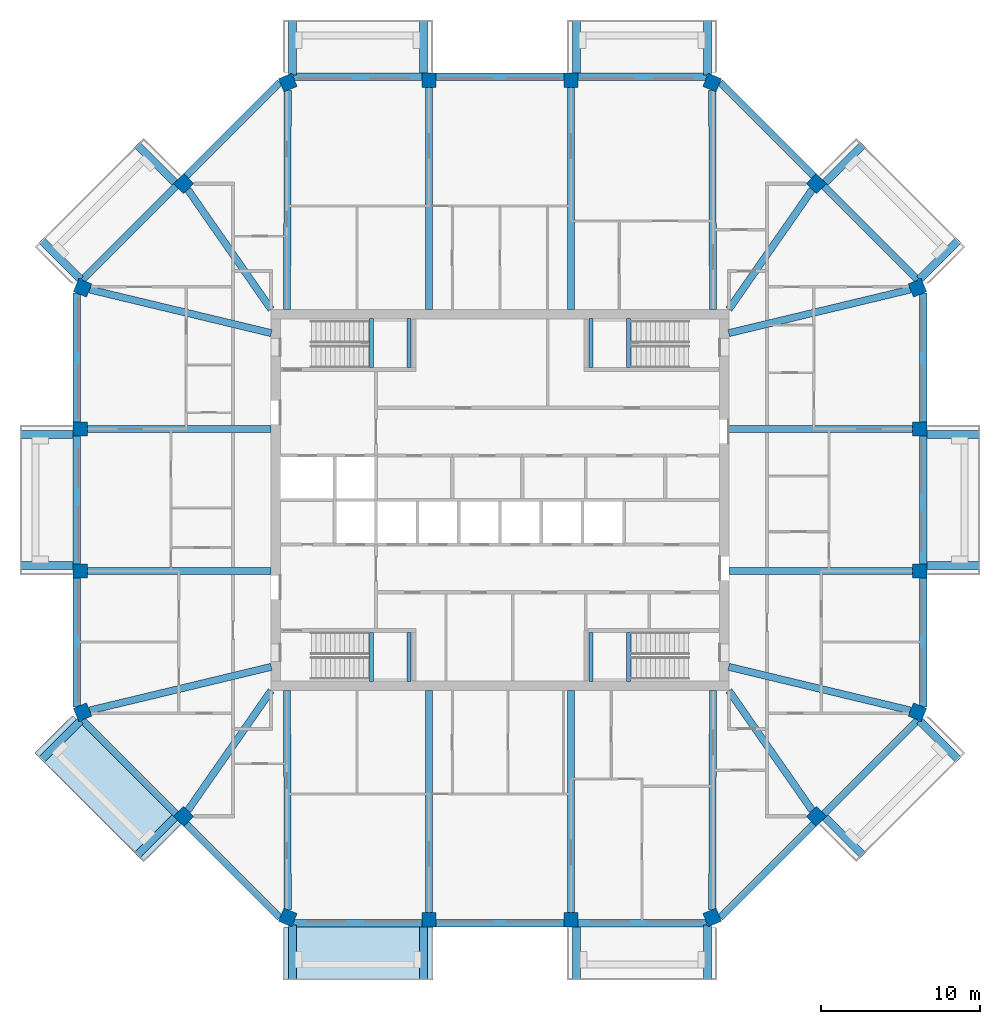
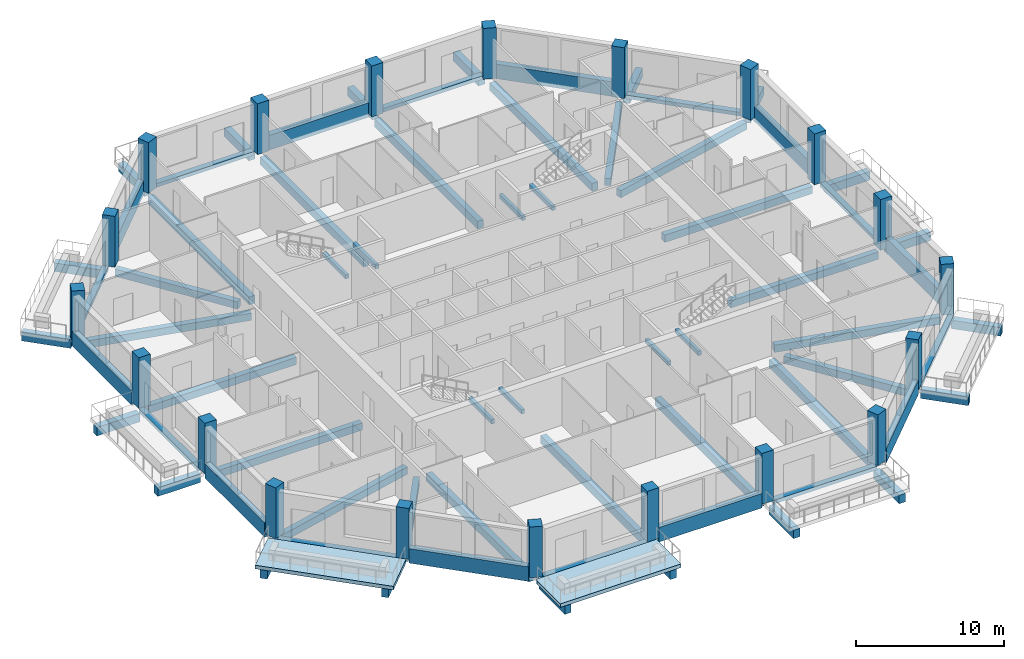
# One storey, part 1 of 12: 68 beams, 20 columns, 2 slabs.
"""IFC4 building model written with IfcOpenShell, lengths in metres."""

from ifc_helpers import new_model, si_unit, direction, frame, origin, origin_2d, place, context, subcontext, project, spatial, polyline, rectangle, outline, extrude, material, layer, layer_set, material_profile, profile_set, type_object, element, save


model = new_model("IFC4")

# Units and contexts
model_context = context("Model", 3, precision=1e-05, world=origin(), true_north=direction((0.0, 1.0)))
body_context = subcontext(model_context, "Body", "Model", "MODEL_VIEW")
ifc_project = project(units=[si_unit("LENGTHUNIT", "METRE"), si_unit("AREAUNIT", "SQUARE_METRE"), si_unit("VOLUMEUNIT", "CUBIC_METRE"), si_unit("PLANEANGLEUNIT", "RADIAN"), si_unit("MASSUNIT", "GRAM", prefix="KILO")], contexts=[model_context])

# Site, building, storey
site_placement = place(None, origin())
site = spatial("IfcSite", under=ifc_project, at=site_placement, CompositionType="ELEMENT")
building_placement = place(site_placement, origin())
building = spatial("IfcBuilding", under=site, at=building_placement, Name="Msitu Wima Residences", CompositionType="ELEMENT")
storey_placement = place(building_placement, frame((0.0, 0.0, 218.10009765625)))
storey = spatial("IfcBuildingStorey", under=building, at=storey_placement, Name="L50", CompositionType="ELEMENT", Elevation=218.10009765625)

# Columns
ifc_material_1 = material(Name="Concrete C50/60", Category="concrete")
ifc_material_profile_1 = material_profile(ifc_material_1, rectangle(XDim=0.89990234375, YDim=0.89990234375, at=origin_2d()), Name="RC 900x900")
ifc_profile_set_1 = profile_set([ifc_material_profile_1], Name="Concrete C50/60")
column_type = type_object("IfcColumnType", Name="Column RC 900x900 Concrete C50/60", PredefinedType="COLUMN", material=ifc_profile_set_1)
for number, where, z_axis, x_axis, name in (
    (1, (26.261962890625, -13.3486328125, 0.0), (0.0, 0.0, 1.0), (0.382683496864, 0.923879505795, 0.0), "Column L50 C-E0"),
    (2, (26.39990234375, -4.46875, 0.0), (0.0, 0.0, 1.0), (0.0, 1.0, 0.0), "Column L50 C-E1"),
    (3, (26.39990234375, 4.46875, 0.0), (0.0, 0.0, 1.0), (0.0, 1.0, 0.0), "Column L50 C-E2"),
    (4, (26.261962890625, 13.3486328125, 0.0), (0.0, 0.0, 1.0), (-0.382683496864, 0.923879505795, 0.0), "Column L50 C-NE0"),
    (5, (19.90283203125, 19.90283203125, 0.0), (0.0, 0.0, 1.0), (-0.707106781187, 0.707106781187, 0.0), "Column L50 C-NE1"),
    (6, (13.3486328125, 26.261962890625, 0.0), (0.0, 0.0, 1.0), (-0.923879505795, 0.382683496864, 0.0), "Column L50 C-N0"),
    (7, (4.46875, 26.39990234375, 0.0), (0.0, 0.0, 1.0), (-1.0, 0.0, 0.0), "Column L50 C-N1"),
    (8, (-4.46875, 26.39990234375, 0.0), (0.0, 0.0, 1.0), (-1.0, 0.0, 0.0), "Column L50 C-N2"),
    (9, (-13.3486328125, 26.261962890625, 0.0), (0.0, 0.0, 1.0), (-0.923879505795, -0.382683496864, 0.0), "Column L50 C-NW0"),
    (10, (-19.90283203125, 19.90283203125, 0.0), (0.0, 0.0, 1.0), (-0.707106781187, -0.707106781187, 0.0), "Column L50 C-NW1"),
    (11, (-26.261962890625, 13.3486328125, 0.0), (0.0, 0.0, 1.0), (-0.382683496864, -0.923879505795, 0.0), "Column L50 C-W0"),
    (12, (-26.39990234375, 4.46875, 0.0), (0.0, 0.0, 1.0), (0.0, -1.0, 0.0), "Column L50 C-W1"),
    (13, (-26.39990234375, -4.46875, 0.0), (0.0, 0.0, 1.0), (0.0, -1.0, 0.0), "Column L50 C-W2"),
    (14, (-26.261962890625, -13.3486328125, 0.0), (0.0, 0.0, 1.0), (0.382683496864, -0.923879505795, 0.0), "Column L50 C-SW0"),
    (15, (-19.90283203125, -19.90283203125, 0.0), (0.0, 0.0, 1.0), (0.707106781187, -0.707106781187, 0.0), "Column L50 C-SW1"),
    (16, (-13.3486328125, -26.261962890625, 0.0), (0.0, 0.0, 1.0), (0.923879505795, -0.382683496864, 0.0), "Column L50 C-S0"),
    (17, (-4.46875, -26.39990234375, 0.0), (0.0, 0.0, 1.0), (1.0, 0.0, 0.0), "Column L50 C-S1"),
    (18, (4.46875, -26.39990234375, 0.0), (0.0, 0.0, 1.0), (1.0, 0.0, 0.0), "Column L50 C-S2"),
    (19, (13.3486328125, -26.261962890625, 0.0), (0.0, 0.0, 1.0), (0.923879505795, 0.382683496864, 0.0), "Column L50 C-SE0"),
    (20, (19.90283203125, -19.90283203125, 0.0), (0.0, 0.0, 1.0), (0.707106781187, 0.707106781187, 0.0), "Column L50 C-SE1"),
):
    element("IfcColumn", number, at=place(storey_placement, frame(where, z_axis=z_axis, x_axis=x_axis)), inside=storey, type_object=column_type, Name=name, PredefinedType="COLUMN", context=body_context, shape_type="SweptSolid", body=[
        extrude(rectangle(XDim=0.89990234375, YDim=0.89990234375, at=origin_2d()), origin(), (0.0, 0.0, 1.0), 4.199951171875),
    ])

# Beams
ifc_material_profile_2 = material_profile(ifc_material_1, rectangle(XDim=0.449951171875, YDim=0.60009765625, at=origin_2d()), Name="RC 450x600")
ifc_profile_set_2 = profile_set([ifc_material_profile_2], Name="Concrete C50/60")
beam_type_1 = type_object("IfcBeamType", Name="Beam RC 450x600 Concrete C50/60", PredefinedType="BEAM", material=ifc_profile_set_2)
beam_1_placement = place(storey_placement, frame((25.819091796875, -13.242431640625, -0.550048828125), z_axis=(-0.972353359268, 0.233514335148, 0.0), x_axis=(-0.233514335148, -0.972353359268, 0.0)))
element("IfcBeam", 21, at=beam_1_placement, inside=storey, type_object=beam_type_1, Name="Beam L50 C-E0", PredefinedType="BEAM", context=body_context, shape_type="SweptSolid", body=[
    extrude(rectangle(XDim=0.449951171875, YDim=0.60009765625, at=origin_2d()), origin(), (0.0, 0.0, 1.0), 11.755615234375),
])
for number, where, z_axis, x_axis, name in (
    (22, (25.949951171875, -4.46875, -0.550048828125), (-1.0, 0.0, 0.0), (0.0, -1.0, 0.0), "Beam L50 C-E1"),
    (23, (25.949951171875, 4.46875, -0.550048828125), (-1.0, 0.0, 0.0), (0.0, -1.0, 0.0), "Beam L50 C-E2"),
):
    element("IfcBeam", number, at=place(storey_placement, frame(where, z_axis=z_axis, x_axis=x_axis)), inside=storey, type_object=beam_type_1, Name=name, PredefinedType="BEAM", context=body_context, shape_type="SweptSolid", body=[
        extrude(rectangle(XDim=0.449951171875, YDim=0.60009765625, at=origin_2d()), origin(), (0.0, 0.0, 1.0), 11.550048828125),
    ])
beam_2_placement = place(storey_placement, frame((25.819091796875, 13.242431640625, -0.550048828125), z_axis=(-0.972353359268, -0.233514335148, 0.0), x_axis=(0.233514335148, -0.972353359268, 0.0)))
element("IfcBeam", 24, at=beam_2_placement, inside=storey, type_object=beam_type_1, Name="Beam L50 C-NE0", PredefinedType="BEAM", context=body_context, shape_type="SweptSolid", body=[
    extrude(rectangle(XDim=0.449951171875, YDim=0.60009765625, at=origin_2d()), origin(), (0.0, 0.0, 1.0), 11.755615234375),
])
for number, where, z_axis, x_axis, name in (
    (25, (19.6416015625, 19.52783203125, -0.550048828125), (-0.571427822633, -0.820652328042, 0.0), (0.820652328042, -0.571427822633, 0.0), "Beam L50 C-NE1"),
    (26, (-19.6416015625, 19.52783203125, -0.550048828125), (0.571427822633, -0.820652328042, 0.0), (0.820652328042, 0.571427822633, 0.0), "Beam L50 C-NW1"),
):
    element("IfcBeam", number, at=place(storey_placement, frame(where, z_axis=z_axis, x_axis=x_axis)), inside=storey, type_object=beam_type_1, Name=name, PredefinedType="BEAM", context=body_context, shape_type="SweptSolid", body=[
        extrude(rectangle(XDim=0.449951171875, YDim=0.60009765625, at=origin_2d()), origin(), (0.0, 0.0, 1.0), 9.173095703125),
    ])
beam_3_placement = place(storey_placement, frame((-25.819091796875, 13.242431640625, -0.550048828125), z_axis=(0.972353359268, -0.233514335148, 0.0), x_axis=(0.233514335148, 0.972353359268, 0.0)))
element("IfcBeam", 27, at=beam_3_placement, inside=storey, type_object=beam_type_1, Name="Beam L50 C-W0", PredefinedType="BEAM", context=body_context, shape_type="SweptSolid", body=[
    extrude(rectangle(XDim=0.449951171875, YDim=0.60009765625, at=origin_2d()), origin(), (0.0, 0.0, 1.0), 11.755615234375),
])
for number, where, z_axis, x_axis, name in (
    (28, (-25.949951171875, 4.46875, -0.550048828125), (1.0, 0.0, 0.0), (0.0, 1.0, 0.0), "Beam L50 C-W1"),
    (29, (-25.949951171875, -4.46875, -0.550048828125), (1.0, 0.0, 0.0), (0.0, 1.0, 0.0), "Beam L50 C-W2"),
):
    element("IfcBeam", number, at=place(storey_placement, frame(where, z_axis=z_axis, x_axis=x_axis)), inside=storey, type_object=beam_type_1, Name=name, PredefinedType="BEAM", context=body_context, shape_type="SweptSolid", body=[
        extrude(rectangle(XDim=0.449951171875, YDim=0.60009765625, at=origin_2d()), origin(), (0.0, 0.0, 1.0), 11.550048828125),
    ])
beam_4_placement = place(storey_placement, frame((-25.819091796875, -13.242431640625, -0.550048828125), z_axis=(0.972353359268, 0.233514335148, 0.0), x_axis=(-0.233514335148, 0.972353359268, 0.0)))
element("IfcBeam", 30, at=beam_4_placement, inside=storey, type_object=beam_type_1, Name="Beam L50 C-SW0", PredefinedType="BEAM", context=body_context, shape_type="SweptSolid", body=[
    extrude(rectangle(XDim=0.449951171875, YDim=0.60009765625, at=origin_2d()), origin(), (0.0, 0.0, 1.0), 11.755615234375),
])
for number, where, z_axis, x_axis, name in (
    (31, (-19.6416015625, -19.52783203125, -0.550048828125), (0.571427822633, 0.820652328042, 0.0), (-0.820652328042, 0.571427822633, 0.0), "Beam L50 C-SW1"),
    (32, (19.6416015625, -19.52783203125, -0.550048828125), (-0.571427822633, 0.820652328042, 0.0), (-0.820652328042, -0.571427822633, 0.0), "Beam L50 C-SE1"),
):
    element("IfcBeam", number, at=place(storey_placement, frame(where, z_axis=z_axis, x_axis=x_axis)), inside=storey, type_object=beam_type_1, Name=name, PredefinedType="BEAM", context=body_context, shape_type="SweptSolid", body=[
        extrude(rectangle(XDim=0.449951171875, YDim=0.60009765625, at=origin_2d()), origin(), (0.0, 0.0, 1.0), 9.173095703125),
    ])
ifc_material_profile_3 = material_profile(ifc_material_1, rectangle(XDim=0.449951171875, YDim=0.64990234375, at=origin_2d()), Name="RC 450x650")
ifc_profile_set_3 = profile_set([ifc_material_profile_3], Name="Concrete C50/60")
beam_type_2 = type_object("IfcBeamType", Name="Beam RC 450x650 Concrete C50/60", PredefinedType="BEAM", material=ifc_profile_set_3)
beam_5_placement = place(storey_placement, frame((13.3505859375, 25.774169921875, -0.5751953125), z_axis=(0.003594933206, -0.999993538207, 0.0), x_axis=(0.999993538207, 0.003594933206, 0.0)))
element("IfcBeam", 33, at=beam_5_placement, inside=storey, type_object=beam_type_2, Name="Beam L50 C-N0", PredefinedType="BEAM", context=body_context, shape_type="SweptSolid", body=[
    extrude(rectangle(XDim=0.449951171875, YDim=0.64990234375, at=origin_2d()), origin(), (0.0, 0.0, 1.0), 13.7861328125),
])
for number, where, z_axis, x_axis, name in (
    (34, (4.46875, 25.949951171875, -0.5751953125), (0.0, -1.0, 0.0), (1.0, 0.0, 0.0), "Beam L50 C-N1"),
    (35, (-4.46875, 25.949951171875, -0.5751953125), (0.0, -1.0, 0.0), (1.0, 0.0, 0.0), "Beam L50 C-N2"),
):
    element("IfcBeam", number, at=place(storey_placement, frame(where, z_axis=z_axis, x_axis=x_axis)), inside=storey, type_object=beam_type_2, Name=name, PredefinedType="BEAM", context=body_context, shape_type="SweptSolid", body=[
        extrude(rectangle(XDim=0.449951171875, YDim=0.64990234375, at=origin_2d()), origin(), (0.0, 0.0, 1.0), 13.949951171875),
    ])
for number, where, z_axis, x_axis, name in (
    (36, (-13.3505859375, 25.774169921875, -0.5751953125), (-0.003594933206, -0.999993538207, 0.0), (0.999993538207, -0.003594933206, 0.0), "Beam L50 C-NW0"),
    (37, (-13.3505859375, -25.774169921875, -0.5751953125), (-0.003594933206, 0.999993538207, 0.0), (-0.999993538207, -0.003594933206, 0.0), "Beam L50 C-S0"),
):
    element("IfcBeam", number, at=place(storey_placement, frame(where, z_axis=z_axis, x_axis=x_axis)), inside=storey, type_object=beam_type_2, Name=name, PredefinedType="BEAM", context=body_context, shape_type="SweptSolid", body=[
        extrude(rectangle(XDim=0.449951171875, YDim=0.64990234375, at=origin_2d()), origin(), (0.0, 0.0, 1.0), 13.7861328125),
    ])
for number, where, z_axis, x_axis, name in (
    (38, (-4.46875, -25.949951171875, -0.5751953125), (0.0, 1.0, 0.0), (-1.0, 0.0, 0.0), "Beam L50 C-S1"),
    (39, (4.46875, -25.949951171875, -0.5751953125), (0.0, 1.0, 0.0), (-1.0, 0.0, 0.0), "Beam L50 C-S2"),
):
    element("IfcBeam", number, at=place(storey_placement, frame(where, z_axis=z_axis, x_axis=x_axis)), inside=storey, type_object=beam_type_2, Name=name, PredefinedType="BEAM", context=body_context, shape_type="SweptSolid", body=[
        extrude(rectangle(XDim=0.449951171875, YDim=0.64990234375, at=origin_2d()), origin(), (0.0, 0.0, 1.0), 13.949951171875),
    ])
beam_6_placement = place(storey_placement, frame((13.3505859375, -25.774169921875, -0.5751953125), z_axis=(0.003594933206, 0.999993538207, 0.0), x_axis=(-0.999993538207, 0.003594933206, 0.0)))
element("IfcBeam", 40, at=beam_6_placement, inside=storey, type_object=beam_type_2, Name="Beam L50 C-SE0", PredefinedType="BEAM", context=body_context, shape_type="SweptSolid", body=[
    extrude(rectangle(XDim=0.449951171875, YDim=0.64990234375, at=origin_2d()), origin(), (0.0, 0.0, 1.0), 13.7861328125),
])
ifc_material_profile_4 = material_profile(ifc_material_1, rectangle(XDim=0.5, YDim=0.699951171875, at=origin_2d()), Name="RC 500x700")
ifc_profile_set_4 = profile_set([ifc_material_profile_4], Name="Concrete C50/60")
beam_type_3 = type_object("IfcBeamType", Name="Cantilever beam RC 500x700 Concrete C50/60", PredefinedType="BEAM", material=ifc_profile_set_4)
for number, where, z_axis, x_axis, name in (
    (41, (26.85009765625, -4.11865234375, -0.650146484375), (1.0, 0.0, 0.0), (0.0, 1.0, 0.0), "Cantilever beam L50 BA-E1 A"),
    (42, (26.85009765625, 4.11865234375, -0.650146484375), (1.0, 0.0, 0.0), (0.0, 1.0, 0.0), "Cantilever beam L50 BA-E1 B"),
):
    element("IfcBeam", number, at=place(storey_placement, frame(where, z_axis=z_axis, x_axis=x_axis)), inside=storey, type_object=beam_type_3, Name=name, PredefinedType="BEAM", context=body_context, shape_type="SweptSolid", body=[
        extrude(rectangle(XDim=0.5, YDim=0.699951171875, at=origin_2d()), origin(), (0.0, 0.0, 1.0), 3.349853515625),
    ])
beam_7_placement = place(storey_placement, frame((26.386474609375, 13.887451171875, -0.650146484375), z_axis=(0.707141968506, 0.707071592116, 0.0), x_axis=(-0.707071592116, 0.707141968506, 0.0)))
element("IfcBeam", 43, at=beam_7_placement, inside=storey, type_object=beam_type_3, Name="Cantilever beam L50 BA-NE0 A", PredefinedType="BEAM", context=body_context, shape_type="SweptSolid", body=[
    extrude(rectangle(XDim=0.5, YDim=0.699951171875, at=origin_2d()), origin(), (0.0, 0.0, 1.0), 3.468994140625),
])
beam_8_placement = place(storey_placement, frame((20.46875, 19.9736328125, -0.650146484375), z_axis=(0.707070340836, 0.707143219659, 0.0), x_axis=(-0.707143219659, 0.707070340836, 0.0)))
element("IfcBeam", 44, at=beam_8_placement, inside=storey, type_object=beam_type_3, Name="Cantilever beam L50 BA-NE0 B", PredefinedType="BEAM", context=body_context, shape_type="SweptSolid", body=[
    extrude(rectangle(XDim=0.5, YDim=0.699951171875, at=origin_2d()), origin(), (0.0, 0.0, 1.0), 3.349853515625),
])
beam_9_placement = place(storey_placement, frame((13.055908203125, 26.73095703125, -0.650146484375), z_axis=(0.0, 1.0, 0.0), x_axis=(-1.0, 0.0, 0.0)))
element("IfcBeam", 45, at=beam_9_placement, inside=storey, type_object=beam_type_3, Name="Cantilever beam L50 BA-N0 A", PredefinedType="BEAM", context=body_context, shape_type="SweptSolid", body=[
    extrude(rectangle(XDim=0.5, YDim=0.699951171875, at=origin_2d()), origin(), (0.0, 0.0, 1.0), 3.468994140625),
])
for number, where, z_axis, x_axis, name in (
    (46, (4.818603515625, 26.85009765625, -0.650146484375), (0.0, 1.0, 0.0), (-1.0, 0.0, 0.0), "Cantilever beam L50 BA-N0 B"),
    (47, (-4.818603515625, 26.85009765625, -0.650146484375), (0.0, 1.0, 0.0), (-1.0, 0.0, 0.0), "Cantilever beam L50 BA-N2 A"),
):
    element("IfcBeam", number, at=place(storey_placement, frame(where, z_axis=z_axis, x_axis=x_axis)), inside=storey, type_object=beam_type_3, Name=name, PredefinedType="BEAM", context=body_context, shape_type="SweptSolid", body=[
        extrude(rectangle(XDim=0.5, YDim=0.699951171875, at=origin_2d()), origin(), (0.0, 0.0, 1.0), 3.349853515625),
    ])
beam_10_placement = place(storey_placement, frame((-13.055908203125, 26.73095703125, -0.650146484375), z_axis=(0.0, 1.0, 0.0), x_axis=(-1.0, 0.0, 0.0)))
element("IfcBeam", 48, at=beam_10_placement, inside=storey, type_object=beam_type_3, Name="Cantilever beam L50 BA-N2 B", PredefinedType="BEAM", context=body_context, shape_type="SweptSolid", body=[
    extrude(rectangle(XDim=0.5, YDim=0.699951171875, at=origin_2d()), origin(), (0.0, 0.0, 1.0), 3.468994140625),
])
beam_11_placement = place(storey_placement, frame((-20.46875, 19.9736328125, -0.650146484375), z_axis=(-0.707070340836, 0.707143219659, 0.0), x_axis=(-0.707143219659, -0.707070340836, 0.0)))
element("IfcBeam", 49, at=beam_11_placement, inside=storey, type_object=beam_type_3, Name="Cantilever beam L50 BA-NW1 A", PredefinedType="BEAM", context=body_context, shape_type="SweptSolid", body=[
    extrude(rectangle(XDim=0.5, YDim=0.699951171875, at=origin_2d()), origin(), (0.0, 0.0, 1.0), 3.349853515625),
])
beam_12_placement = place(storey_placement, frame((-26.386474609375, 13.887451171875, -0.650146484375), z_axis=(-0.707141968506, 0.707071592116, 0.0), x_axis=(-0.707071592116, -0.707141968506, 0.0)))
element("IfcBeam", 50, at=beam_12_placement, inside=storey, type_object=beam_type_3, Name="Cantilever beam L50 BA-NW1 B", PredefinedType="BEAM", context=body_context, shape_type="SweptSolid", body=[
    extrude(rectangle(XDim=0.5, YDim=0.699951171875, at=origin_2d()), origin(), (0.0, 0.0, 1.0), 3.468994140625),
])
for number, where, z_axis, x_axis, name in (
    (51, (-26.85009765625, 4.11865234375, -0.650146484375), (-1.0, 0.0, 0.0), (0.0, -1.0, 0.0), "Cantilever beam L50 BA-W1 A"),
    (52, (-26.85009765625, -4.11865234375, -0.650146484375), (-1.0, 0.0, 0.0), (0.0, -1.0, 0.0), "Cantilever beam L50 BA-W1 B"),
):
    element("IfcBeam", number, at=place(storey_placement, frame(where, z_axis=z_axis, x_axis=x_axis)), inside=storey, type_object=beam_type_3, Name=name, PredefinedType="BEAM", context=body_context, shape_type="SweptSolid", body=[
        extrude(rectangle(XDim=0.5, YDim=0.699951171875, at=origin_2d()), origin(), (0.0, 0.0, 1.0), 3.349853515625),
    ])
beam_13_placement = place(storey_placement, frame((-26.386474609375, -13.887451171875, -0.650146484375), z_axis=(-0.707141968506, -0.707071592116, 0.0), x_axis=(0.707071592116, -0.707141968506, 0.0)))
element("IfcBeam", 53, at=beam_13_placement, inside=storey, type_object=beam_type_3, Name="Cantilever beam L50 BA-SW0 A", PredefinedType="BEAM", context=body_context, shape_type="SweptSolid", body=[
    extrude(rectangle(XDim=0.5, YDim=0.699951171875, at=origin_2d()), origin(), (0.0, 0.0, 1.0), 3.468994140625),
])
beam_14_placement = place(storey_placement, frame((-20.46875, -19.9736328125, -0.650146484375), z_axis=(-0.707070340836, -0.707143219659, 0.0), x_axis=(0.707143219659, -0.707070340836, 0.0)))
element("IfcBeam", 54, at=beam_14_placement, inside=storey, type_object=beam_type_3, Name="Cantilever beam L50 BA-SW0 B", PredefinedType="BEAM", context=body_context, shape_type="SweptSolid", body=[
    extrude(rectangle(XDim=0.5, YDim=0.699951171875, at=origin_2d()), origin(), (0.0, 0.0, 1.0), 3.349853515625),
])
beam_15_placement = place(storey_placement, frame((-13.055908203125, -26.73095703125, -0.650146484375), z_axis=(0.0, -1.0, 0.0), x_axis=(1.0, 0.0, 0.0)))
element("IfcBeam", 55, at=beam_15_placement, inside=storey, type_object=beam_type_3, Name="Cantilever beam L50 BA-S0 A", PredefinedType="BEAM", context=body_context, shape_type="SweptSolid", body=[
    extrude(rectangle(XDim=0.5, YDim=0.699951171875, at=origin_2d()), origin(), (0.0, 0.0, 1.0), 3.468994140625),
])
for number, where, z_axis, x_axis, name in (
    (56, (-4.818603515625, -26.85009765625, -0.650146484375), (0.0, -1.0, 0.0), (1.0, 0.0, 0.0), "Cantilever beam L50 BA-S0 B"),
    (57, (4.818603515625, -26.85009765625, -0.650146484375), (0.0, -1.0, 0.0), (1.0, 0.0, 0.0), "Cantilever beam L50 BA-S2 A"),
):
    element("IfcBeam", number, at=place(storey_placement, frame(where, z_axis=z_axis, x_axis=x_axis)), inside=storey, type_object=beam_type_3, Name=name, PredefinedType="BEAM", context=body_context, shape_type="SweptSolid", body=[
        extrude(rectangle(XDim=0.5, YDim=0.699951171875, at=origin_2d()), origin(), (0.0, 0.0, 1.0), 3.349853515625),
    ])
beam_16_placement = place(storey_placement, frame((13.055908203125, -26.73095703125, -0.650146484375), z_axis=(0.0, -1.0, 0.0), x_axis=(1.0, 0.0, 0.0)))
element("IfcBeam", 58, at=beam_16_placement, inside=storey, type_object=beam_type_3, Name="Cantilever beam L50 BA-S2 B", PredefinedType="BEAM", context=body_context, shape_type="SweptSolid", body=[
    extrude(rectangle(XDim=0.5, YDim=0.699951171875, at=origin_2d()), origin(), (0.0, 0.0, 1.0), 3.468994140625),
])
beam_17_placement = place(storey_placement, frame((20.46875, -19.9736328125, -0.650146484375), z_axis=(0.707070340836, -0.707143219659, 0.0), x_axis=(0.707143219659, 0.707070340836, 0.0)))
element("IfcBeam", 59, at=beam_17_placement, inside=storey, type_object=beam_type_3, Name="Cantilever beam L50 BA-SE1 A", PredefinedType="BEAM", context=body_context, shape_type="SweptSolid", body=[
    extrude(rectangle(XDim=0.5, YDim=0.699951171875, at=origin_2d()), origin(), (0.0, 0.0, 1.0), 3.349853515625),
])
beam_18_placement = place(storey_placement, frame((26.386474609375, -13.887451171875, -0.650146484375), z_axis=(0.707141968506, -0.707071592116, 0.0), x_axis=(0.707071592116, 0.707141968506, 0.0)))
element("IfcBeam", 60, at=beam_18_placement, inside=storey, type_object=beam_type_3, Name="Cantilever beam L50 BA-SE1 B", PredefinedType="BEAM", context=body_context, shape_type="SweptSolid", body=[
    extrude(rectangle(XDim=0.5, YDim=0.699951171875, at=origin_2d()), origin(), (0.0, 0.0, 1.0), 3.468994140625),
])
ifc_material_profile_5 = material_profile(ifc_material_1, rectangle(XDim=0.449951171875, YDim=0.300048828125, at=origin_2d()), Name="RC 450x300")
ifc_profile_set_5 = profile_set([ifc_material_profile_5], Name="Concrete C50/60")
beam_type_4 = type_object("IfcBeamType", Name="Edge beam RC 450x300 Concrete C50/60", PredefinedType="SPANDREL", material=ifc_profile_set_5)
beam_19_placement = place(storey_placement, frame((26.625, -4.0185546875, -0.150146484375), z_axis=(0.0, 1.0, 0.0), x_axis=(-1.0, 0.0, 0.0)))
element("IfcBeam", 61, at=beam_19_placement, inside=storey, type_object=beam_type_4, Name="Spandrel L50 E1", PredefinedType="SPANDREL", context=body_context, shape_type="SweptSolid", body=[
    extrude(rectangle(XDim=0.449951171875, YDim=0.300048828125, at=origin_2d()), origin(), (0.0, 0.0, 1.0), 8.037109375),
])
beam_20_placement = place(storey_placement, frame((26.2890625, 13.8349609375, -0.150146484375), z_axis=(-0.707106781187, 0.707106781187, 0.0), x_axis=(-0.707106781187, -0.707106781187, 0.0)))
element("IfcBeam", 62, at=beam_20_placement, inside=storey, type_object=beam_type_4, Name="Spandrel L50 NE0", PredefinedType="SPANDREL", context=body_context, shape_type="SweptSolid", body=[
    extrude(rectangle(XDim=0.449951171875, YDim=0.300048828125, at=origin_2d()), origin(), (0.0, 0.0, 1.0), 8.3564453125),
])
for number, where, z_axis, x_axis, name in (
    (63, (13.02392578125, 26.625, -0.150146484375), (-1.0, 0.0, 0.0), (0.0, -1.0, 0.0), "Spandrel L50 N0"),
    (64, (-4.918701171875, 26.625, -0.150146484375), (-1.0, 0.0, 0.0), (0.0, -1.0, 0.0), "Spandrel L50 N2"),
):
    element("IfcBeam", number, at=place(storey_placement, frame(where, z_axis=z_axis, x_axis=x_axis)), inside=storey, type_object=beam_type_4, Name=name, PredefinedType="SPANDREL", context=body_context, shape_type="SweptSolid", body=[
        extrude(rectangle(XDim=0.449951171875, YDim=0.300048828125, at=origin_2d()), origin(), (0.0, 0.0, 1.0), 8.105224609375),
    ])
beam_21_placement = place(storey_placement, frame((-20.380126953125, 19.743896484375, -0.150146484375), z_axis=(-0.707106781187, -0.707106781187, 0.0), x_axis=(0.707106781187, -0.707106781187, 0.0)))
element("IfcBeam", 65, at=beam_21_placement, inside=storey, type_object=beam_type_4, Name="Spandrel L50 NW1", PredefinedType="SPANDREL", context=body_context, shape_type="SweptSolid", body=[
    extrude(rectangle(XDim=0.449951171875, YDim=0.300048828125, at=origin_2d()), origin(), (0.0, 0.0, 1.0), 8.3564453125),
])
beam_22_placement = place(storey_placement, frame((-26.625, 4.0185546875, -0.150146484375), z_axis=(0.0, -1.0, 0.0), x_axis=(1.0, 0.0, 0.0)))
element("IfcBeam", 66, at=beam_22_placement, inside=storey, type_object=beam_type_4, Name="Spandrel L50 W1", PredefinedType="SPANDREL", context=body_context, shape_type="SweptSolid", body=[
    extrude(rectangle(XDim=0.449951171875, YDim=0.300048828125, at=origin_2d()), origin(), (0.0, 0.0, 1.0), 8.037109375),
])
beam_23_placement = place(storey_placement, frame((-26.2890625, -13.8349609375, -0.150146484375), z_axis=(0.707106781187, -0.707106781187, 0.0), x_axis=(0.707106781187, 0.707106781187, 0.0)))
element("IfcBeam", 67, at=beam_23_placement, inside=storey, type_object=beam_type_4, Name="Spandrel L50 SW0", PredefinedType="SPANDREL", context=body_context, shape_type="SweptSolid", body=[
    extrude(rectangle(XDim=0.449951171875, YDim=0.300048828125, at=origin_2d()), origin(), (0.0, 0.0, 1.0), 8.3564453125),
])
for number, where, z_axis, x_axis, name in (
    (68, (-13.02392578125, -26.625, -0.150146484375), (1.0, 0.0, 0.0), (0.0, 1.0, 0.0), "Spandrel L50 S0"),
    (69, (4.918701171875, -26.625, -0.150146484375), (1.0, 0.0, 0.0), (0.0, 1.0, 0.0), "Spandrel L50 S2"),
):
    element("IfcBeam", number, at=place(storey_placement, frame(where, z_axis=z_axis, x_axis=x_axis)), inside=storey, type_object=beam_type_4, Name=name, PredefinedType="SPANDREL", context=body_context, shape_type="SweptSolid", body=[
        extrude(rectangle(XDim=0.449951171875, YDim=0.300048828125, at=origin_2d()), origin(), (0.0, 0.0, 1.0), 8.105224609375),
    ])
beam_24_placement = place(storey_placement, frame((20.380126953125, -19.743896484375, -0.150146484375), z_axis=(0.707106781187, 0.707106781187, 0.0), x_axis=(-0.707106781187, 0.707106781187, 0.0)))
element("IfcBeam", 70, at=beam_24_placement, inside=storey, type_object=beam_type_4, Name="Spandrel L50 SE1", PredefinedType="SPANDREL", context=body_context, shape_type="SweptSolid", body=[
    extrude(rectangle(XDim=0.449951171875, YDim=0.300048828125, at=origin_2d()), origin(), (0.0, 0.0, 1.0), 8.3564453125),
])
ifc_material_2 = material(Name="Concrete C40/50", Category="concrete")
ifc_material_profile_6 = material_profile(ifc_material_2, rectangle(XDim=0.25, YDim=0.35009765625, at=origin_2d()), Name="RC 250x350")
ifc_profile_set_6 = profile_set([ifc_material_profile_6], Name="Concrete C40/50")
beam_type_5 = type_object("IfcBeamType", Name="Landing beam RC 250x350", PredefinedType="BEAM", material=ifc_profile_set_6)
for number, where, z_axis, x_axis, name in (
    (71, (-8.074951171875, 8.324951171875, 1.724853515625), (0.0, 1.0, 0.0), (-1.0, 0.0, 0.0), "Stair 1 landing beam"),
    (72, (-5.72509765625, 8.324951171875, 1.724853515625), (0.0, 1.0, 0.0), (-1.0, 0.0, 0.0), "Stair 1 landing beam"),
    (73, (-8.074951171875, -11.425048828125, 1.724853515625), (0.0, 1.0, 0.0), (-1.0, 0.0, 0.0), "Stair 2 landing beam"),
    (74, (-5.72509765625, -11.425048828125, 1.724853515625), (0.0, 1.0, 0.0), (-1.0, 0.0, 0.0), "Stair 2 landing beam"),
    (75, (8.074951171875, 8.324951171875, 1.724853515625), (0.0, 1.0, 0.0), (-1.0, 0.0, 0.0), "Stair 3 landing beam"),
    (76, (5.72509765625, 8.324951171875, 1.724853515625), (0.0, 1.0, 0.0), (-1.0, 0.0, 0.0), "Stair 3 landing beam"),
    (77, (8.074951171875, -11.425048828125, 1.724853515625), (0.0, 1.0, 0.0), (-1.0, 0.0, 0.0), "Stair 4 landing beam"),
    (78, (5.72509765625, -11.425048828125, 1.724853515625), (0.0, 1.0, 0.0), (-1.0, 0.0, 0.0), "Stair 4 landing beam"),
):
    element("IfcBeam", number, at=place(storey_placement, frame(where, z_axis=z_axis, x_axis=x_axis)), inside=storey, type_object=beam_type_5, Name=name, PredefinedType="BEAM", context=body_context, shape_type="SweptSolid", body=[
        extrude(rectangle(XDim=0.25, YDim=0.35009765625, at=origin_2d()), origin(), (0.0, 0.0, 1.0), 3.10009765625),
    ])
ifc_material_profile_7 = material_profile(ifc_material_1, rectangle(XDim=0.449951171875, YDim=1.199951171875, at=origin_2d()), Name="RC 450x1200")
ifc_profile_set_7 = profile_set([ifc_material_profile_7], Name="Concrete C50/60")
beam_type_6 = type_object("IfcBeamType", Name="Spandrel RC 450x1200 Concrete C50/60", PredefinedType="SPANDREL", material=ifc_profile_set_7)
for number, where, z_axis, x_axis, name in (
    (79, (26.625, -13.02392578125, 0.2998046875), (0.0, 1.0, 0.0), (-1.0, 0.0, 0.0), "Spandrel L50 E0"),
    (80, (26.625, 4.918701171875, 0.2998046875), (0.0, 1.0, 0.0), (-1.0, 0.0, 0.0), "Spandrel L50 E2"),
):
    element("IfcBeam", number, at=place(storey_placement, frame(where, z_axis=z_axis, x_axis=x_axis)), inside=storey, type_object=beam_type_6, Name=name, PredefinedType="SPANDREL", context=body_context, shape_type="SweptSolid", body=[
        extrude(rectangle(XDim=0.449951171875, YDim=1.199951171875, at=origin_2d()), origin(), (0.0, 0.0, 1.0), 8.105224609375),
    ])
beam_25_placement = place(storey_placement, frame((19.743896484375, 20.380126953125, 0.2998046875), z_axis=(-0.707106781187, 0.707106781187, 0.0), x_axis=(-0.707106781187, -0.707106781187, 0.0)))
element("IfcBeam", 81, at=beam_25_placement, inside=storey, type_object=beam_type_6, Name="Spandrel L50 NE1", PredefinedType="SPANDREL", context=body_context, shape_type="SweptSolid", body=[
    extrude(rectangle(XDim=0.449951171875, YDim=1.199951171875, at=origin_2d()), origin(), (0.0, 0.0, 1.0), 8.3564453125),
])
beam_26_placement = place(storey_placement, frame((4.0185546875, 26.625, 0.2998046875), z_axis=(-1.0, 0.0, 0.0), x_axis=(0.0, -1.0, 0.0)))
element("IfcBeam", 82, at=beam_26_placement, inside=storey, type_object=beam_type_6, Name="Spandrel L50 N1", PredefinedType="SPANDREL", context=body_context, shape_type="SweptSolid", body=[
    extrude(rectangle(XDim=0.449951171875, YDim=1.199951171875, at=origin_2d()), origin(), (0.0, 0.0, 1.0), 8.037109375),
])
beam_27_placement = place(storey_placement, frame((-13.8349609375, 26.2890625, 0.2998046875), z_axis=(-0.707106781187, -0.707106781187, 0.0), x_axis=(0.707106781187, -0.707106781187, 0.0)))
element("IfcBeam", 83, at=beam_27_placement, inside=storey, type_object=beam_type_6, Name="Spandrel L50 NW0", PredefinedType="SPANDREL", context=body_context, shape_type="SweptSolid", body=[
    extrude(rectangle(XDim=0.449951171875, YDim=1.199951171875, at=origin_2d()), origin(), (0.0, 0.0, 1.0), 8.3564453125),
])
for number, where, z_axis, x_axis, name in (
    (84, (-26.625, 13.02392578125, 0.2998046875), (0.0, -1.0, 0.0), (1.0, 0.0, 0.0), "Spandrel L50 W0"),
    (85, (-26.625, -4.918701171875, 0.2998046875), (0.0, -1.0, 0.0), (1.0, 0.0, 0.0), "Spandrel L50 W2"),
):
    element("IfcBeam", number, at=place(storey_placement, frame(where, z_axis=z_axis, x_axis=x_axis)), inside=storey, type_object=beam_type_6, Name=name, PredefinedType="SPANDREL", context=body_context, shape_type="SweptSolid", body=[
        extrude(rectangle(XDim=0.449951171875, YDim=1.199951171875, at=origin_2d()), origin(), (0.0, 0.0, 1.0), 8.105224609375),
    ])
beam_28_placement = place(storey_placement, frame((-19.743896484375, -20.380126953125, 0.2998046875), z_axis=(0.707106781187, -0.707106781187, 0.0), x_axis=(0.707106781187, 0.707106781187, 0.0)))
element("IfcBeam", 86, at=beam_28_placement, inside=storey, type_object=beam_type_6, Name="Spandrel L50 SW1", PredefinedType="SPANDREL", context=body_context, shape_type="SweptSolid", body=[
    extrude(rectangle(XDim=0.449951171875, YDim=1.199951171875, at=origin_2d()), origin(), (0.0, 0.0, 1.0), 8.3564453125),
])
beam_29_placement = place(storey_placement, frame((-4.0185546875, -26.625, 0.2998046875), z_axis=(1.0, 0.0, 0.0), x_axis=(0.0, 1.0, 0.0)))
element("IfcBeam", 87, at=beam_29_placement, inside=storey, type_object=beam_type_6, Name="Spandrel L50 S1", PredefinedType="SPANDREL", context=body_context, shape_type="SweptSolid", body=[
    extrude(rectangle(XDim=0.449951171875, YDim=1.199951171875, at=origin_2d()), origin(), (0.0, 0.0, 1.0), 8.037109375),
])
beam_30_placement = place(storey_placement, frame((13.8349609375, -26.2890625, 0.2998046875), z_axis=(0.707106781187, 0.707106781187, 0.0), x_axis=(-0.707106781187, 0.707106781187, 0.0)))
element("IfcBeam", 88, at=beam_30_placement, inside=storey, type_object=beam_type_6, Name="Spandrel L50 SE0", PredefinedType="SPANDREL", context=body_context, shape_type="SweptSolid", body=[
    extrude(rectangle(XDim=0.449951171875, YDim=1.199951171875, at=origin_2d()), origin(), (0.0, 0.0, 1.0), 8.3564453125),
])

# Slabs
ifc_layer = layer(ifc_material_2, 0.300048828125)
ifc_layer_set = layer_set([ifc_layer], Name="Concrete C40/50")
slab_type = type_object("IfcSlabType", Name="Balcony slab BS300", PredefinedType="FLOOR", material=ifc_layer_set)
slab_1_placement = place(storey_placement, frame((0.0, 0.0, -0.300048828125)))
element("IfcSlab", 89, at=slab_1_placement, inside=storey, type_object=slab_type, Name="Balcony SW0 L50", PredefinedType="FLOOR", context=body_context, shape_type="SweptSolid", body=[
    extrude(outline(polyline([(-26.505615234375, -13.936767578125), (-26.505615234375, -13.936767578125), (-20.04443359375, -20.39794921875), (-22.4130859375, -22.766845703125), (-29.263671875, -15.916015625), (-27.003662109375, -13.656005859375), (-26.85009765625, -13.59228515625), (-26.505615234375, -13.936767578125), (-26.505615234375, -13.936767578125)])), origin(), (0.0, 0.0, 1.0), 0.300048828125),
])
slab_2_placement = place(storey_placement, frame((0.0, 0.0, -0.300048828125)))
element("IfcSlab", 90, at=slab_2_placement, inside=storey, type_object=slab_type, Name="Balcony S0 L50", PredefinedType="FLOOR", context=body_context, shape_type="SweptSolid", body=[
    extrude(outline(polyline([(-13.105224609375, -26.85009765625), (-13.105224609375, -26.85009765625), (-4.918701171875, -26.85009765625), (-4.21875, -26.85009765625), (-4.21875, -30.199951171875), (-13.656005859375, -30.199951171875), (-13.656005859375, -27.003662109375), (-13.59228515625, -26.85009765625), (-13.105224609375, -26.85009765625), (-13.105224609375, -26.85009765625)])), origin(), (0.0, 0.0, 1.0), 0.300048828125),
])

save(model, "model.ifc")
